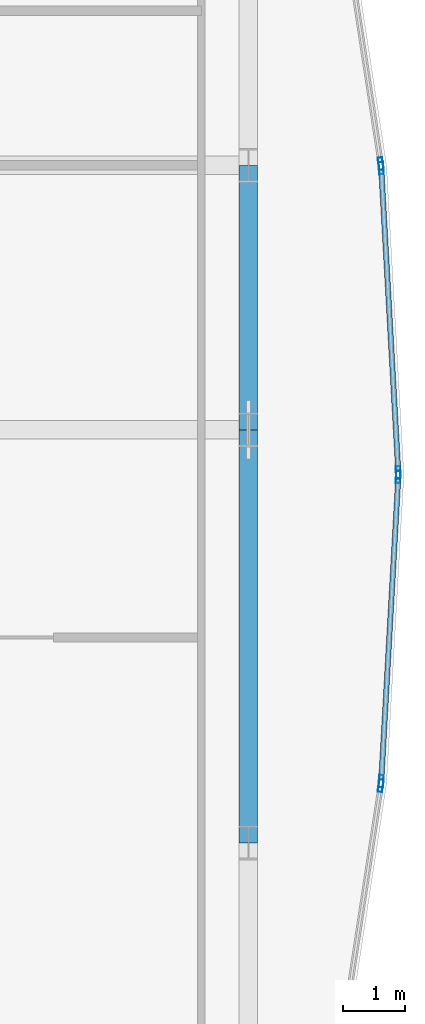
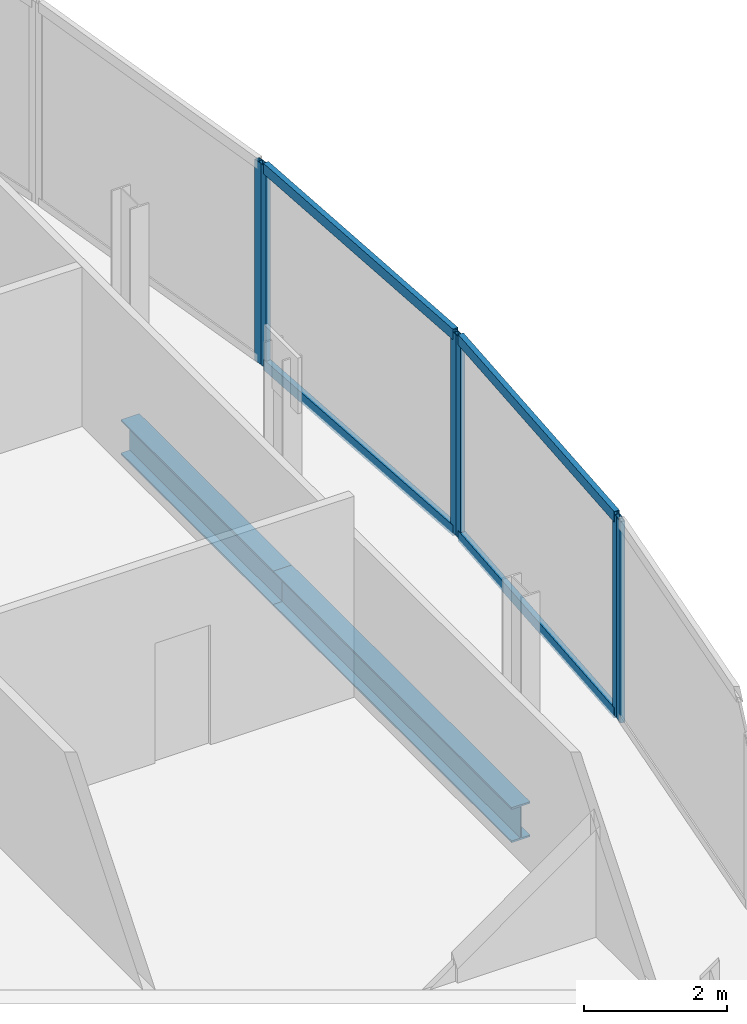
# One storey, part 22 of 33: 10 members, 2 beams, 4 elements without a shape of their own.
"""IFC4 building model written with IfcOpenShell, lengths in metres."""

from ifc_helpers import new_model, si_unit, direction, frame, origin, origin_2d, place, context, subcontext, project, spatial, hollow_rectangle, i_section, extrude, material, material_profile, profile_set, type_object, element, aggregate, save


model = new_model("IFC4")

# Units and contexts
model_context = context("Model", 3, precision=1e-05, world=origin(), true_north=direction((0.0, 1.0)))
body_context = subcontext(model_context, "Body", "Model", "MODEL_VIEW")
ifc_project = project(units=[si_unit("LENGTHUNIT", "METRE"), si_unit("AREAUNIT", "SQUARE_METRE"), si_unit("VOLUMEUNIT", "CUBIC_METRE"), si_unit("PLANEANGLEUNIT", "RADIAN"), si_unit("MASSUNIT", "GRAM", prefix="KILO")], contexts=[model_context])

# Site, building, storey
site_placement = place(None, origin())
site = spatial("IfcSite", under=ifc_project, at=site_placement, CompositionType="ELEMENT")
building_placement = place(site_placement, origin())
building = spatial("IfcBuilding", under=site, at=building_placement, Name="Khoronbel Lancet Exchange", CompositionType="ELEMENT")
storey_placement = place(building_placement, frame((0.0, 0.0, 114.60009765625)))
storey = spatial("IfcBuildingStorey", under=building, at=storey_placement, Name="L27", CompositionType="ELEMENT", Elevation=114.60009765625)

# Beams
ifc_material_1 = material(Name="Steel S355", Category="steel")
ifc_material_profile_1 = material_profile(ifc_material_1, i_section(OverallWidth=0.300048828125, OverallDepth=0.60009765625, WebThickness=0.015380859375, FlangeThickness=0.030029296875, at=origin_2d()), Name="HEB 600")
ifc_profile_set_1 = profile_set([ifc_material_profile_1], Name="Steel S355")
beam_type = type_object("IfcBeamType", Name="BM-BSP2", PredefinedType="SPANDREL", material=ifc_profile_set_1)
beam_1_placement = place(storey_placement, frame((69.6298828125, 24.75, -0.460205078125), z_axis=(0.0, 1.0, 0.0), x_axis=(-1.0, 0.0, 0.0)))
element("IfcBeam", 1, at=beam_1_placement, inside=storey, type_object=beam_type, Name="Level L27 perimeter spandrel beam SP12", PredefinedType="SPANDREL", context=body_context, shape_type="SweptSolid", body=[
    extrude(i_section(OverallWidth=0.300048828125, OverallDepth=0.60009765625, WebThickness=0.015380859375, FlangeThickness=0.030029296875, at=origin_2d()), origin(), (0.0, 0.0, 1.0), 6.675048828125),
])
beam_2_placement = place(storey_placement, frame((69.6298828125, 31.425048828125, -0.460205078125), z_axis=(0.0, 1.0, 0.0), x_axis=(-1.0, 0.0, 0.0)))
element("IfcBeam", 2, at=beam_2_placement, inside=storey, type_object=beam_type, Name="Level L27 perimeter spandrel beam SP13", PredefinedType="SPANDREL", context=body_context, shape_type="SweptSolid", body=[
    extrude(i_section(OverallWidth=0.300048828125, OverallDepth=0.60009765625, WebThickness=0.015380859375, FlangeThickness=0.030029296875, at=origin_2d()), origin(), (0.0, 0.0, 1.0), 4.27490234375),
])

# Curtain wall, member
ifc_material_2 = material(Name="Low-E Solar Control Insulating Glass", Category="glass")
curtain_wall_type = type_object("IfcCurtainWallType", Name="CW-4", PredefinedType="NOTDEFINED", material=ifc_material_2)
curtain_wall_1_placement = place(storey_placement, origin())
curtain_wall_1 = element("IfcCurtainWall", 3, at=curtain_wall_1_placement, inside=storey, type_object=curtain_wall_type, Name="Unitised curtain wall CW-L27-E18", PredefinedType="NOTDEFINED")
ifc_material_3 = material(Name="Bronze-Anodised Aluminium 6063-T6", Category="aluminium")
ifc_material_profile_2 = material_profile(ifc_material_3, hollow_rectangle(XDim=0.074951171875, YDim=0.199951171875, WallThickness=0.0048828125, at=origin_2d()), Name="ALU MULLION 75x200")
ifc_profile_set_2 = profile_set([ifc_material_profile_2], Name="Bronze-Anodised Aluminium 6063-T6")
member_type_1 = type_object("IfcMemberType", Name="MEM-CWM2", PredefinedType="MULLION", material=ifc_profile_set_2)
member_1_placement = place(storey_placement, frame((71.767822265625, 35.727783203125, 0.0), z_axis=(0.0, 0.0, 1.0), x_axis=(0.988454851149, 0.151515699646, 0.0)))
member_1 = element("IfcMember", 4, at=member_1_placement, type_object=member_type_1, Name="CW4 mullion 2", PredefinedType="MULLION", context=body_context, shape_type="SweptSolid", body=[
    extrude(hollow_rectangle(XDim=0.074951171875, YDim=0.199951171875, WallThickness=0.0048828125, at=origin_2d()), origin(), (0.0, 0.0, 1.0), 3.43994140625),
])
aggregate(curtain_wall_1, [member_1])

# Curtain wall, members
curtain_wall_2_placement = place(storey_placement, origin())
curtain_wall_2 = element("IfcCurtainWall", 5, at=curtain_wall_2_placement, inside=storey, type_object=curtain_wall_type, Name="Unitised curtain wall CW-L27-E19", PredefinedType="NOTDEFINED")
member_2_placement = place(storey_placement, frame((71.775634765625, 35.653076171875, 0.0), z_axis=(0.0, 0.0, 1.0), x_axis=(0.998429793732, 0.056017381128, 0.0)))
member_2 = element("IfcMember", 6, at=member_2_placement, type_object=member_type_1, Name="CW4 mullion 1", PredefinedType="MULLION", context=body_context, shape_type="SweptSolid", body=[
    extrude(hollow_rectangle(XDim=0.074951171875, YDim=0.199951171875, WallThickness=0.0048828125, at=origin_2d()), origin(), (0.0, 0.0, 1.0), 3.43994140625),
])
member_3_placement = place(storey_placement, frame((72.051513671875, 30.737548828125, 0.0), z_axis=(0.0, 0.0, 1.0), x_axis=(0.998429793732, 0.056017381128, 0.0)))
member_3 = element("IfcMember", 7, at=member_3_placement, type_object=member_type_1, Name="CW4 mullion 2", PredefinedType="MULLION", context=body_context, shape_type="SweptSolid", body=[
    extrude(hollow_rectangle(XDim=0.074951171875, YDim=0.199951171875, WallThickness=0.0048828125, at=origin_2d()), origin(), (0.0, 0.0, 1.0), 3.43994140625),
])

curtain_wall_3_placement = place(storey_placement, origin())
curtain_wall_3 = element("IfcCurtainWall", 8, at=curtain_wall_3_placement, inside=storey, type_object=curtain_wall_type, Name="Unitised curtain wall CW-L27-E20", PredefinedType="NOTDEFINED")
member_4_placement = place(storey_placement, frame((72.051513671875, 30.66259765625, 0.0), z_axis=(0.0, 0.0, 1.0), x_axis=(0.998429793732, -0.056017381128, 0.0)))
member_4 = element("IfcMember", 9, at=member_4_placement, type_object=member_type_1, Name="CW4 mullion 1", PredefinedType="MULLION", context=body_context, shape_type="SweptSolid", body=[
    extrude(hollow_rectangle(XDim=0.074951171875, YDim=0.199951171875, WallThickness=0.0048828125, at=origin_2d()), origin(), (0.0, 0.0, 1.0), 3.43994140625),
])
member_5_placement = place(storey_placement, frame((71.775634765625, 25.746826171875, 0.0), z_axis=(0.0, 0.0, 1.0), x_axis=(0.998429793732, -0.056017381128, 0.0)))
member_5 = element("IfcMember", 10, at=member_5_placement, type_object=member_type_1, Name="CW4 mullion 2", PredefinedType="MULLION", context=body_context, shape_type="SweptSolid", body=[
    extrude(hollow_rectangle(XDim=0.074951171875, YDim=0.199951171875, WallThickness=0.0048828125, at=origin_2d()), origin(), (0.0, 0.0, 1.0), 3.43994140625),
])

# Curtain wall, member
curtain_wall_4_placement = place(storey_placement, origin())
curtain_wall_4 = element("IfcCurtainWall", 11, at=curtain_wall_4_placement, inside=storey, type_object=curtain_wall_type, Name="Unitised curtain wall CW-L27-E21", PredefinedType="NOTDEFINED")
member_6_placement = place(storey_placement, frame((71.767822265625, 25.67236328125, 0.0), z_axis=(0.0, 0.0, 1.0), x_axis=(0.988454851149, -0.151515699646, 0.0)))
member_6 = element("IfcMember", 12, at=member_6_placement, type_object=member_type_1, Name="CW4 mullion 1", PredefinedType="MULLION", context=body_context, shape_type="SweptSolid", body=[
    extrude(hollow_rectangle(XDim=0.074951171875, YDim=0.199951171875, WallThickness=0.0048828125, at=origin_2d()), origin(), (0.0, 0.0, 1.0), 3.43994140625),
])
aggregate(curtain_wall_4, [member_6])

# Member
ifc_material_profile_3 = material_profile(ifc_material_3, hollow_rectangle(XDim=0.0849609375, YDim=0.179931640625, WallThickness=0.0048828125, at=origin_2d()), Name="ALU TRANSOM 85x180")
ifc_profile_set_3 = profile_set([ifc_material_profile_3], Name="Bronze-Anodised Aluminium 6063-T6")
member_type_2 = type_object("IfcMemberType", Name="MEM-CWT1", PredefinedType="USERDEFINED", material=ifc_profile_set_3)
member_7_placement = place(storey_placement, frame((71.77783203125, 35.61572265625, 0.04248046875), z_axis=(0.055994319605, -0.998431087343, 0.0), x_axis=(0.998431087343, 0.055994319605, 0.0)))
member_7 = element("IfcMember", 13, at=member_7_placement, type_object=member_type_2, Name="CW4 transom 1.1", ObjectType="TRANSOM", PredefinedType="USERDEFINED", context=body_context, shape_type="SweptSolid", body=[
    extrude(hollow_rectangle(XDim=0.0849609375, YDim=0.179931640625, WallThickness=0.0048828125, at=origin_2d()), origin(), (0.0, 0.0, 1.0), 4.848388671875),
])

member_8_placement = place(storey_placement, frame((71.77783203125, 35.61572265625, 3.3974609375), z_axis=(0.055994319605, -0.998431087343, 0.0), x_axis=(0.998431087343, 0.055994319605, 0.0)))
member_8 = element("IfcMember", 14, at=member_8_placement, type_object=member_type_2, Name="CW4 transom 1.2", ObjectType="TRANSOM", PredefinedType="USERDEFINED", context=body_context, shape_type="SweptSolid", body=[
    extrude(hollow_rectangle(XDim=0.0849609375, YDim=0.179931640625, WallThickness=0.0048828125, at=origin_2d()), origin(), (0.0, 0.0, 1.0), 4.848388671875),
])

aggregate(curtain_wall_2, [member_2, member_3, member_7, member_8])

member_9_placement = place(storey_placement, frame((72.04931640625, 30.625, 0.04248046875), z_axis=(-0.055994319605, -0.998431087343, 0.0), x_axis=(0.998431087343, -0.055994319605, 0.0)))
member_9 = element("IfcMember", 15, at=member_9_placement, type_object=member_type_2, Name="CW4 transom 1.1", ObjectType="TRANSOM", PredefinedType="USERDEFINED", context=body_context, shape_type="SweptSolid", body=[
    extrude(hollow_rectangle(XDim=0.0849609375, YDim=0.179931640625, WallThickness=0.0048828125, at=origin_2d()), origin(), (0.0, 0.0, 1.0), 4.848388671875),
])

member_10_placement = place(storey_placement, frame((72.04931640625, 30.625, 3.3974609375), z_axis=(-0.055994319605, -0.998431087343, 0.0), x_axis=(0.998431087343, -0.055994319605, 0.0)))
member_10 = element("IfcMember", 16, at=member_10_placement, type_object=member_type_2, Name="CW4 transom 1.2", ObjectType="TRANSOM", PredefinedType="USERDEFINED", context=body_context, shape_type="SweptSolid", body=[
    extrude(hollow_rectangle(XDim=0.0849609375, YDim=0.179931640625, WallThickness=0.0048828125, at=origin_2d()), origin(), (0.0, 0.0, 1.0), 4.848388671875),
])

aggregate(curtain_wall_3, [member_4, member_5, member_9, member_10])

save(model, "model.ifc")
